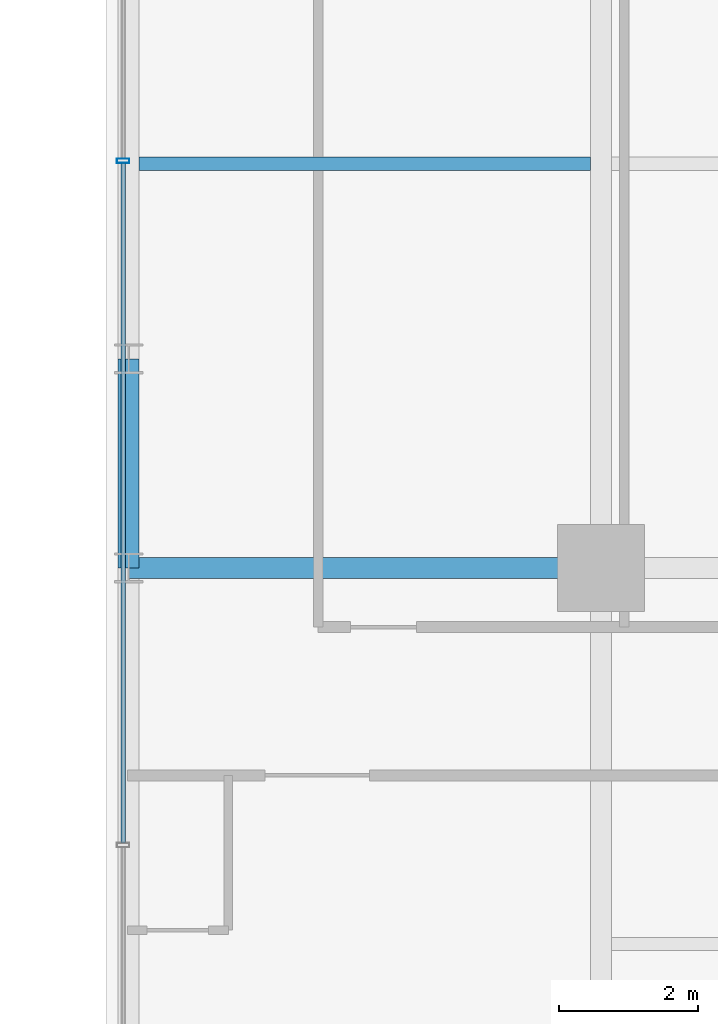
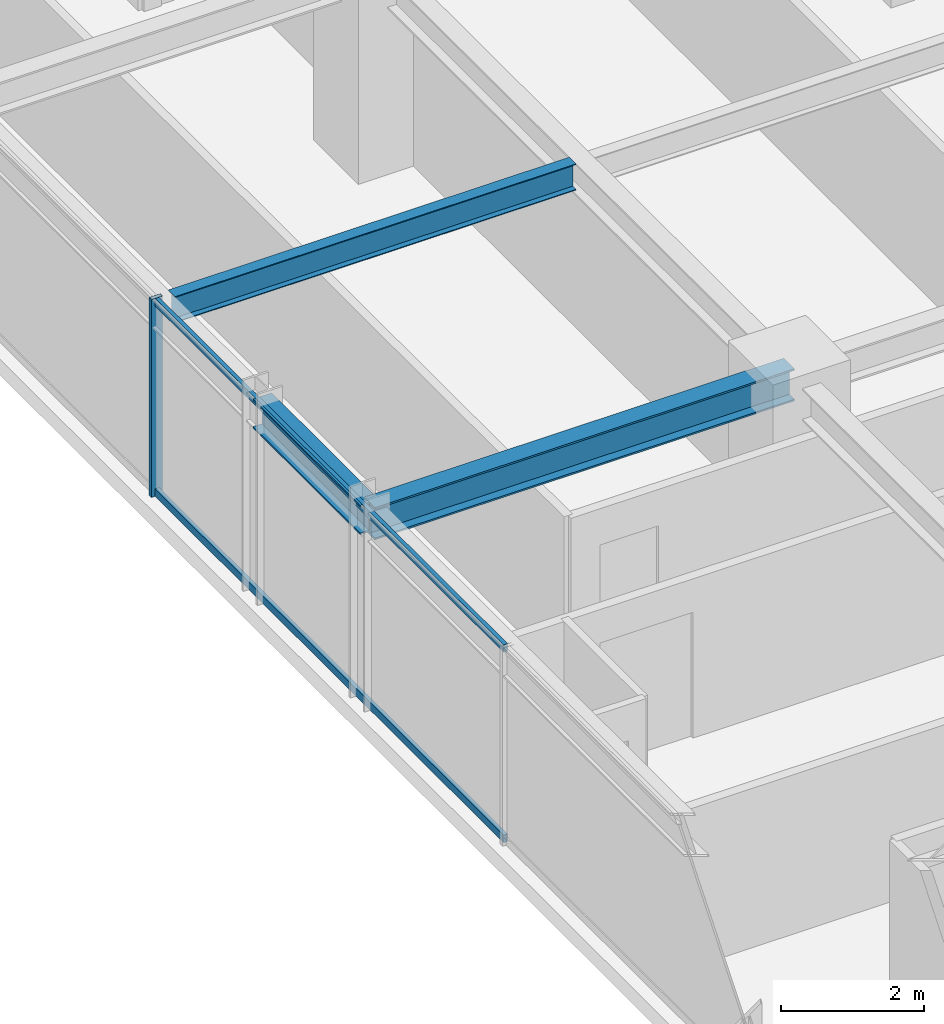
# One storey, part 16 of 31: 3 beams, 3 members, 1 element without a shape of its own.
"""IFC4 building model written with IfcOpenShell, lengths in metres."""

from ifc_helpers import new_model, si_unit, direction, frame, origin, origin_2d, place, context, subcontext, project, spatial, hollow_rectangle, i_section, extrude, source, transform, mapped, material, material_profile, profile_set, type_object, element, aggregate, save


model = new_model("IFC4")

# Units and contexts
model_context = context("Model", 3, precision=1e-05, world=origin(), true_north=direction((0.0, 1.0)))
body_context = subcontext(model_context, "Body", "Model", "MODEL_VIEW")
ifc_project = project(units=[si_unit("LENGTHUNIT", "METRE"), si_unit("AREAUNIT", "SQUARE_METRE"), si_unit("VOLUMEUNIT", "CUBIC_METRE"), si_unit("PLANEANGLEUNIT", "RADIAN"), si_unit("MASSUNIT", "GRAM", prefix="KILO")], contexts=[model_context])

# Site, building, storey
site_placement = place(None, origin())
site = spatial("IfcSite", under=ifc_project, at=site_placement, CompositionType="ELEMENT")
building_placement = place(site_placement, origin())
building = spatial("IfcBuilding", under=site, at=building_placement, Name="Nahalor Promenade Grand Hotel", CompositionType="ELEMENT")
storey_placement = place(building_placement, frame((0.0, 0.0, 95.60009765625)))
storey = spatial("IfcBuildingStorey", under=building, at=storey_placement, Name="L23", CompositionType="ELEMENT", Elevation=95.60009765625)

# Beams
ifc_material_1 = material(Name="Steel S355JR", Category="steel")
ifc_material_profile_1 = material_profile(ifc_material_1, i_section(OverallWidth=0.3, OverallDepth=0.5, WebThickness=0.0145, FlangeThickness=0.028, at=origin_2d()), Name="HEB 500")
ifc_profile_set_1 = profile_set([ifc_material_profile_1], Name="Steel S355JR")
beam_type_1 = type_object("IfcBeamType", Name="Beam-Spandrel-HEB500", PredefinedType="SPANDREL", material=ifc_profile_set_1)
shared_shape_1 = source(origin(), body_context, "Body", "SweptSolid", [
    extrude(i_section(OverallWidth=0.3, OverallDepth=0.5, WebThickness=0.0145, FlangeThickness=0.028, at=origin_2d()), origin(), (0.0, 0.0, 1.0), 3.0),
])
beam_1_placement = place(storey_placement, frame((-23.780029296875, 5.39990234375, 3.1298828125), z_axis=(0.0, 1.0, 0.0), x_axis=(-1.0, 0.0, 0.0)))
element("IfcBeam", 1, at=beam_1_placement, inside=storey, type_object=beam_type_1, Name="BM-L23-SP-W-3", PredefinedType="SPANDREL", context=body_context, shape_type="MappedRepresentation", body=[
    mapped(shared_shape_1, transform((0.0, 0.0, 0.0), scale=1.0)),
])
ifc_material_profile_2 = material_profile(ifc_material_1, i_section(OverallWidth=0.3, OverallDepth=0.55, WebThickness=0.015, FlangeThickness=0.029, at=origin_2d()), Name="HEB 550")
ifc_profile_set_2 = profile_set([ifc_material_profile_2], Name="Steel S355JR")
beam_type_2 = type_object("IfcBeamType", Name="Beam-Girder-HEB550", PredefinedType="BEAM", material=ifc_profile_set_2)
shared_shape_2 = source(origin(), body_context, "Body", "SweptSolid", [
    extrude(i_section(OverallWidth=0.3, OverallDepth=0.55, WebThickness=0.015, FlangeThickness=0.029, at=origin_2d()), origin(), (0.0, 0.0, 1.0), 6.780029296875),
])
beam_2_placement = place(storey_placement, frame((-23.780029296875, 5.39990234375, 3.10498046875), z_axis=(1.0, 0.0, 0.0), x_axis=(0.0, 1.0, 0.0)))
element("IfcBeam", 2, at=beam_2_placement, inside=storey, type_object=beam_type_2, Name="BM-L23-GX-2-0", PredefinedType="BEAM", context=body_context, shape_type="MappedRepresentation", body=[
    mapped(shared_shape_2, transform((0.0, 0.0, 0.0), scale=1.0)),
])
ifc_material_profile_3 = material_profile(ifc_material_1, i_section(OverallWidth=0.19, OverallDepth=0.45, WebThickness=0.0094, FlangeThickness=0.0146, at=origin_2d()), Name="IPE 450")
ifc_profile_set_3 = profile_set([ifc_material_profile_3], Name="Steel S355JR")
beam_type_3 = type_object("IfcBeamType", Name="Beam-Joist-IPE450", PredefinedType="JOIST", material=ifc_profile_set_3)
shared_shape_3 = source(origin(), body_context, "Body", "SweptSolid", [
    extrude(i_section(OverallWidth=0.19, OverallDepth=0.45, WebThickness=0.0094, FlangeThickness=0.0146, at=origin_2d()), origin(), (0.0, 0.0, 1.0), 6.47998046875),
])
beam_3_placement = place(storey_placement, frame((-23.6298828125, 11.199951171875, 3.15478515625), z_axis=(1.0, 0.0, 0.0), x_axis=(0.0, 1.0, 0.0)))
element("IfcBeam", 3, at=beam_3_placement, inside=storey, type_object=beam_type_3, Name="BM-L23-JSW-1-0", PredefinedType="JOIST", context=body_context, shape_type="MappedRepresentation", body=[
    mapped(shared_shape_3, transform((0.0, 0.0, 0.0), scale=1.0)),
])

# Curtain wall, members
ifc_material_2 = material(Name="Anodised Bronze Aluminium EN AW-6063 T6", Category="aluminium")
curtain_wall_type = type_object("IfcCurtainWallType", Name="CW2 Typical Hotel Flush Bronze Unitised Curtain Wall", PredefinedType="USERDEFINED", material=ifc_material_2)
curtain_wall_placement = place(storey_placement, origin())
curtain_wall = element("IfcCurtainWall", 4, at=curtain_wall_placement, inside=storey, type_object=curtain_wall_type, Name="L23 Curtain Wall CW-L23-W-3", ObjectType="UNITISED_CURTAIN_WALL", PredefinedType="USERDEFINED")
ifc_material_profile_4 = material_profile(ifc_material_2, hollow_rectangle(XDim=0.065, YDim=0.18, WallThickness=0.004, at=origin_2d()), Name="CWM 65x180x4")
ifc_profile_set_4 = profile_set([ifc_material_profile_4], Name="Anodised Bronze Aluminium EN AW-6063 T6")
member_type_1 = type_object("IfcMemberType", Name="CWM2 Typical Bronze Mullion 65x180", PredefinedType="MULLION", material=ifc_profile_set_4)
shared_shape_4 = source(origin(), body_context, "Body", "SweptSolid", [
    extrude(hollow_rectangle(XDim=0.065, YDim=0.18, WallThickness=0.004, at=origin_2d()), origin(), (0.0, 0.0, 1.0), 3.3798828125),
])
member_1_placement = place(storey_placement, frame((-23.860107421875, 11.239990234375, 0.0), z_axis=(0.0, 0.0, 1.0), x_axis=(0.0, 1.0, 0.0)))
member_1 = element("IfcMember", 5, at=member_1_placement, type_object=member_type_1, Name="CW-L23-W-3 Mullion 2", PredefinedType="MULLION", context=body_context, shape_type="MappedRepresentation", body=[
    mapped(shared_shape_4, transform((0.0, 0.0, 0.0), scale=1.0)),
])
ifc_material_profile_5 = material_profile(ifc_material_2, hollow_rectangle(XDim=0.065, YDim=0.13, WallThickness=0.004, at=origin_2d()), Name="CWT 65x130x4")
ifc_profile_set_5 = profile_set([ifc_material_profile_5], Name="Anodised Bronze Aluminium EN AW-6063 T6")
member_type_2 = type_object("IfcMemberType", Name="CWT2 Typical Bronze Transom 65x130", PredefinedType="USERDEFINED", material=ifc_profile_set_5)
shared_shape_5 = source(origin(), body_context, "Body", "SweptSolid", [
    extrude(hollow_rectangle(XDim=0.065, YDim=0.13, WallThickness=0.004, at=origin_2d()), origin(), (0.0, 0.0, 1.0), 9.755126953125),
])
member_2_placement = place(storey_placement, frame((-23.860107421875, 1.452392578125, 0.06494140625), z_axis=(0.0, 1.0, 0.0), x_axis=(-1.0, 0.0, 0.0)))
member_2 = element("IfcMember", 6, at=member_2_placement, type_object=member_type_2, Name="CW-L23-W-3 Transom 1-0", ObjectType="TRANSOM", PredefinedType="USERDEFINED", context=body_context, shape_type="MappedRepresentation", body=[
    mapped(shared_shape_5, transform((0.0, 0.0, 0.0), scale=1.0)),
])
member_3_placement = place(storey_placement, frame((-23.860107421875, 1.452392578125, 3.31494140625), z_axis=(0.0, 1.0, 0.0), x_axis=(-1.0, 0.0, 0.0)))
member_3 = element("IfcMember", 7, at=member_3_placement, type_object=member_type_2, Name="CW-L23-W-3 Transom 1-1", ObjectType="TRANSOM", PredefinedType="USERDEFINED", context=body_context, shape_type="MappedRepresentation", body=[
    mapped(shared_shape_5, transform((0.0, 0.0, 0.0), scale=1.0)),
])
aggregate(curtain_wall, [member_1, member_2, member_3])

save(model, "model.ifc")
